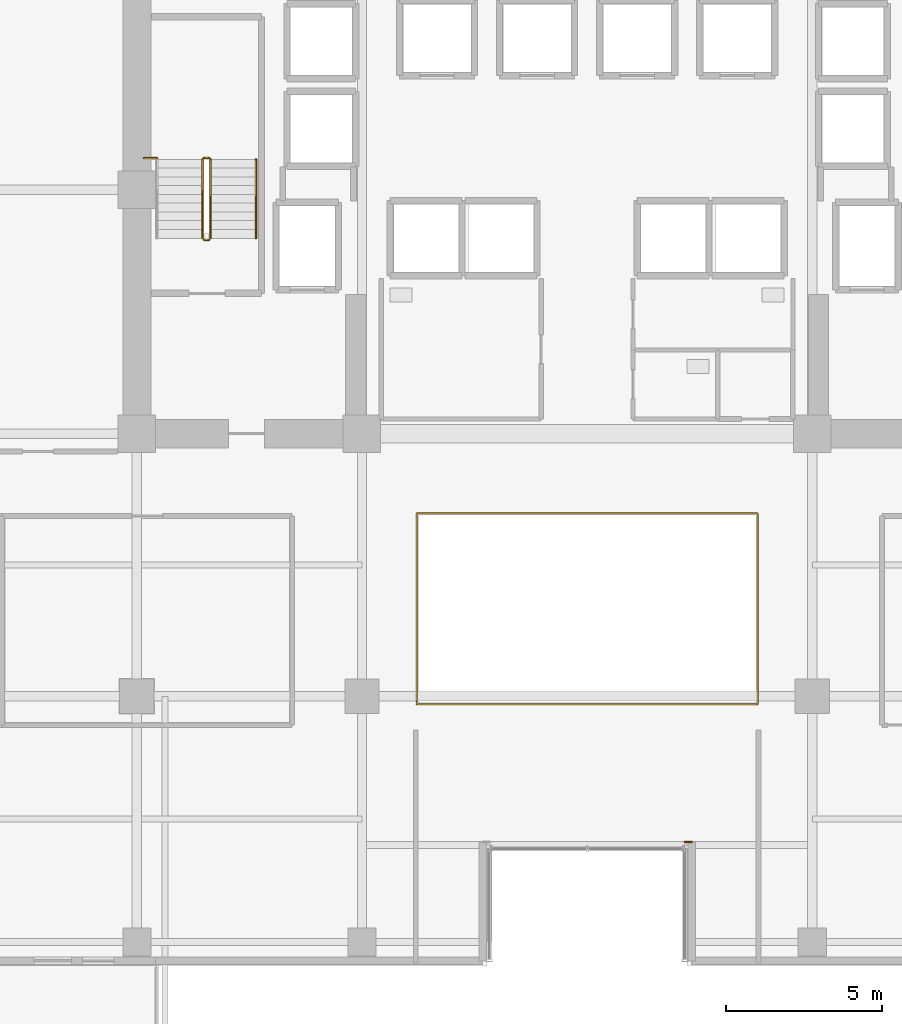
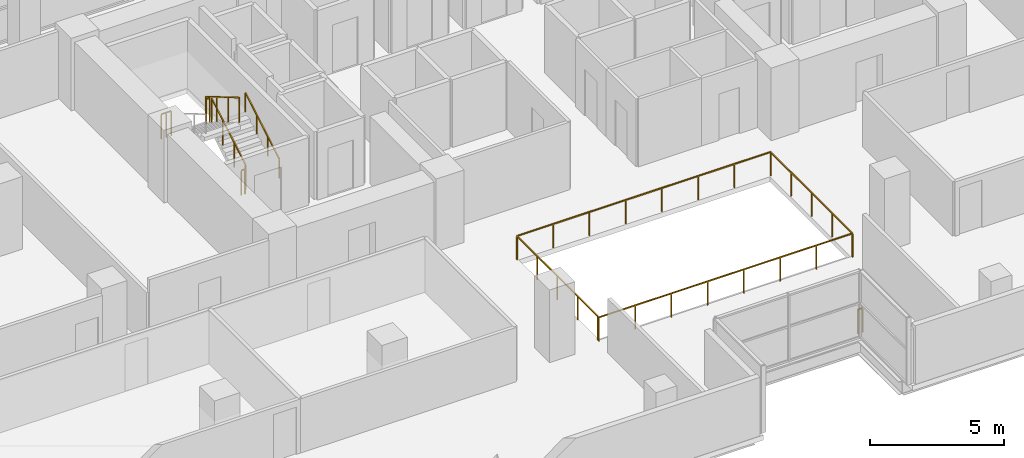
# One storey, part 27 of 29: 8 railings.
"""IFC4 building model written with IfcOpenShell, lengths in metres."""

from ifc_helpers import new_model, si_unit, direction, frame, origin, origin_2d, place, context, subcontext, project, spatial, rectangle, extrude, material, type_object, element, save


model = new_model("IFC4")

# Units and contexts
model_context = context("Model", 3, precision=1e-05, world=origin(), true_north=direction((0.0, 1.0)))
body_context = subcontext(model_context, "Body", "Model", "MODEL_VIEW")
ifc_project = project(units=[si_unit("LENGTHUNIT", "METRE"), si_unit("AREAUNIT", "SQUARE_METRE"), si_unit("VOLUMEUNIT", "CUBIC_METRE"), si_unit("PLANEANGLEUNIT", "RADIAN"), si_unit("MASSUNIT", "GRAM", prefix="KILO")], contexts=[model_context])

# Site, building, storey
site_placement = place(None, origin())
site = spatial("IfcSite", under=ifc_project, at=site_placement, CompositionType="ELEMENT")
building_placement = place(site_placement, origin())
building = spatial("IfcBuilding", under=site, at=building_placement, Name="Zarnakvel Exchange Tower", CompositionType="ELEMENT")
storey_placement = place(building_placement, frame((0.0, 0.0, 37.300048828125)))
storey = spatial("IfcBuildingStorey", under=building, at=storey_placement, Name="L09", CompositionType="ELEMENT", Elevation=37.300048828125)

# Railings
ifc_material_1 = material(Name="Architectural Bronze Anodised Aluminium", Category="aluminium")
railing_type_1 = type_object("IfcRailingType", Name="GR-02", PredefinedType="GUARDRAIL", material=ifc_material_1)
railing_1_placement = place(storey_placement, frame((3.340087890625, -14.260009765625, 0.0)))
element("IfcRailing", 1, at=railing_1_placement, inside=storey, type_object=railing_type_1, Name="L09 Corner Spandrel Balustrade #18", PredefinedType="GUARDRAIL", context=body_context, shape_type="SweptSolid", body=[
    extrude(rectangle(XDim=0.048095703125, YDim=0.048095703125, at=origin_2d()), frame((0.0, 0.0, 1.09619140625), z_axis=(-1.0, 0.0, 0.0), x_axis=(0.0, -1.0, 0.0)), (0.0, 0.0, 1.0), 0.219970703125),
    extrude(rectangle(XDim=0.0419921875, YDim=0.0419921875, at=origin_2d()), origin(), (0.0, 0.0, 1.0), 1.072021484375),
    extrude(rectangle(XDim=0.0419921875, YDim=0.0419921875, at=origin_2d()), frame((-0.219970703125, 0.0, 0.0)), (0.0, 0.0, 1.0), 1.072021484375),
])
railing_type_2 = type_object("IfcRailingType", Name="GR-03", PredefinedType="GUARDRAIL", material=ifc_material_1)
railing_2_placement = place(storey_placement, frame((-5.449951171875, -9.85009765625, 0.0)))
element("IfcRailing", 2, at=railing_2_placement, inside=storey, type_object=railing_type_2, Name="L09 Atrium Void Perimeter Balustrade", PredefinedType="GUARDRAIL", context=body_context, shape_type="SweptSolid", body=[
    extrude(rectangle(XDim=0.048095703125, YDim=0.048095703125, at=origin_2d()), frame((0.0, 0.0, 1.076171875), z_axis=(1.0, 0.0, 0.0), x_axis=(0.0, 1.0, 0.0)), (0.0, 0.0, 1.0), 10.89990234375),
    extrude(rectangle(XDim=0.048095703125, YDim=0.048095703125, at=origin_2d()), frame((10.89990234375, 0.0, 1.076171875), z_axis=(0.0, 1.0, 0.0), x_axis=(-1.0, 0.0, 0.0)), (0.0, 0.0, 1.0), 6.10009765625),
    extrude(rectangle(XDim=0.048095703125, YDim=0.048095703125, at=origin_2d()), frame((10.89990234375, 6.10009765625, 1.076171875), z_axis=(-1.0, 0.0, 0.0), x_axis=(0.0, -1.0, 0.0)), (0.0, 0.0, 1.0), 10.89990234375),
    extrude(rectangle(XDim=0.048095703125, YDim=0.048095703125, at=origin_2d()), frame((0.0, 6.10009765625, 1.076171875), z_axis=(0.0, -1.0, 0.0), x_axis=(1.0, 0.0, 0.0)), (0.0, 0.0, 1.0), 6.02001953125),
    extrude(rectangle(XDim=0.0419921875, YDim=0.0419921875, at=origin_2d()), origin(), (0.0, 0.0, 1.0), 1.052001953125),
    extrude(rectangle(XDim=0.0419921875, YDim=0.0419921875, at=origin_2d()), frame((1.55712890625, 0.0, 0.0)), (0.0, 0.0, 1.0), 1.052001953125),
    extrude(rectangle(XDim=0.0419921875, YDim=0.0419921875, at=origin_2d()), frame((3.1142578125, 0.0, 0.0)), (0.0, 0.0, 1.0), 1.052001953125),
    extrude(rectangle(XDim=0.0419921875, YDim=0.0419921875, at=origin_2d()), frame((4.67138671875, 0.0, 0.0)), (0.0, 0.0, 1.0), 1.052001953125),
    extrude(rectangle(XDim=0.0419921875, YDim=0.0419921875, at=origin_2d()), frame((6.228515625, 0.0, 0.0)), (0.0, 0.0, 1.0), 1.052001953125),
    extrude(rectangle(XDim=0.0419921875, YDim=0.0419921875, at=origin_2d()), frame((7.78564453125, 0.0, 0.0)), (0.0, 0.0, 1.0), 1.052001953125),
    extrude(rectangle(XDim=0.0419921875, YDim=0.0419921875, at=origin_2d()), frame((9.3427734375, 0.0, 0.0)), (0.0, 0.0, 1.0), 1.052001953125),
    extrude(rectangle(XDim=0.0419921875, YDim=0.0419921875, at=origin_2d()), frame((10.89990234375, 0.0, 0.0)), (0.0, 0.0, 1.0), 1.052001953125),
    extrude(rectangle(XDim=0.0419921875, YDim=0.0419921875, at=origin_2d()), frame((10.89990234375, 1.52490234375, 0.0)), (0.0, 0.0, 1.0), 1.052001953125),
    extrude(rectangle(XDim=0.0419921875, YDim=0.0419921875, at=origin_2d()), frame((10.89990234375, 3.050048828125, 0.0)), (0.0, 0.0, 1.0), 1.052001953125),
    extrude(rectangle(XDim=0.0419921875, YDim=0.0419921875, at=origin_2d()), frame((10.89990234375, 4.5751953125, 0.0)), (0.0, 0.0, 1.0), 1.052001953125),
    extrude(rectangle(XDim=0.0419921875, YDim=0.0419921875, at=origin_2d()), frame((10.89990234375, 6.10009765625, 0.0)), (0.0, 0.0, 1.0), 1.052001953125),
    extrude(rectangle(XDim=0.0419921875, YDim=0.0419921875, at=origin_2d()), frame((9.3427734375, 6.10009765625, 0.0)), (0.0, 0.0, 1.0), 1.052001953125),
    extrude(rectangle(XDim=0.0419921875, YDim=0.0419921875, at=origin_2d()), frame((7.78564453125, 6.10009765625, 0.0)), (0.0, 0.0, 1.0), 1.052001953125),
    extrude(rectangle(XDim=0.0419921875, YDim=0.0419921875, at=origin_2d()), frame((6.228515625, 6.10009765625, 0.0)), (0.0, 0.0, 1.0), 1.052001953125),
    extrude(rectangle(XDim=0.0419921875, YDim=0.0419921875, at=origin_2d()), frame((4.67138671875, 6.10009765625, 0.0)), (0.0, 0.0, 1.0), 1.052001953125),
    extrude(rectangle(XDim=0.0419921875, YDim=0.0419921875, at=origin_2d()), frame((3.1142578125, 6.10009765625, 0.0)), (0.0, 0.0, 1.0), 1.052001953125),
    extrude(rectangle(XDim=0.0419921875, YDim=0.0419921875, at=origin_2d()), frame((1.55712890625, 6.10009765625, 0.0)), (0.0, 0.0, 1.0), 1.052001953125),
    extrude(rectangle(XDim=0.0419921875, YDim=0.0419921875, at=origin_2d()), frame((0.0, 6.10009765625, 0.0)), (0.0, 0.0, 1.0), 1.052001953125),
    extrude(rectangle(XDim=0.0419921875, YDim=0.0419921875, at=origin_2d()), frame((0.0, 4.59521484375, 0.0)), (0.0, 0.0, 1.0), 1.052001953125),
    extrude(rectangle(XDim=0.0419921875, YDim=0.0419921875, at=origin_2d()), frame((0.0, 3.090087890625, 0.0)), (0.0, 0.0, 1.0), 1.052001953125),
    extrude(rectangle(XDim=0.0419921875, YDim=0.0419921875, at=origin_2d()), frame((0.0, 1.5849609375, 0.0)), (0.0, 0.0, 1.0), 1.052001953125),
    extrude(rectangle(XDim=0.0419921875, YDim=0.0419921875, at=origin_2d()), frame((0.0, 0.080078125, 0.0)), (0.0, 0.0, 1.0), 1.052001953125),
])
ifc_material_2 = material(Name="Brushed Stainless Steel", Category="steel")
railing_type_3 = type_object("IfcRailingType", Name="HR-01", PredefinedType="HANDRAIL", material=ifc_material_2)
railing_3_placement = place(storey_placement, frame((-10.590087890625, 5.050048828125, 0.1650390625)))
element("IfcRailing", 3, at=railing_3_placement, inside=storey, type_object=railing_type_3, Name="L09 ST-01 stair handrail 1", PredefinedType="HANDRAIL", context=body_context, shape_type="SweptSolid", body=[
    extrude(rectangle(XDim=0.048095703125, YDim=0.048095703125, at=origin_2d()), frame((0.0, 0.0, 0.8759765625), z_axis=(0.0, 0.861560626758, 0.507654692109), x_axis=(-1.0, 0.0, 0.0)), (0.0, 0.0, 1.0), 2.925048828125),
    extrude(rectangle(XDim=0.0419921875, YDim=0.0419921875, at=origin_2d()), origin(), (0.0, 0.0, 1.0), 0.851806640625),
    extrude(rectangle(XDim=0.0419921875, YDim=0.0419921875, at=origin_2d()), frame((0.0, 0.840087890625, 0.494873046875)), (0.0, 0.0, 1.0), 0.851806640625),
    extrude(rectangle(XDim=0.0419921875, YDim=0.0419921875, at=origin_2d()), frame((0.0, 1.679931640625, 0.989990234375)), (0.0, 0.0, 1.0), 0.851806640625),
    extrude(rectangle(XDim=0.0419921875, YDim=0.0419921875, at=origin_2d()), frame((0.0, 2.52001953125, 1.48486328125)), (0.0, 0.0, 1.0), 0.851806640625),
])
railing_type_4 = type_object("IfcRailingType", Name="SG-01", PredefinedType="GUARDRAIL", material=ifc_material_1)
railing_4_placement = place(storey_placement, frame((-12.0400390625, 5.050048828125, 0.1650390625)))
element("IfcRailing", 4, at=railing_4_placement, inside=storey, type_object=railing_type_4, Name="L09 ST-01 stair guard 1", PredefinedType="GUARDRAIL", context=body_context, shape_type="SweptSolid", body=[
    extrude(rectangle(XDim=0.048095703125, YDim=0.048095703125, at=origin_2d()), frame((0.0, 0.0, 1.1259765625), z_axis=(0.0, 0.861560626758, 0.507654692109), x_axis=(-1.0, 0.0, 0.0)), (0.0, 0.0, 1.0), 2.925048828125),
    extrude(rectangle(XDim=0.0419921875, YDim=0.0419921875, at=origin_2d()), origin(), (0.0, 0.0, 1.0), 1.101806640625),
    extrude(rectangle(XDim=0.0419921875, YDim=0.0419921875, at=origin_2d()), frame((0.0, 0.840087890625, 0.494873046875)), (0.0, 0.0, 1.0), 1.101806640625),
    extrude(rectangle(XDim=0.0419921875, YDim=0.0419921875, at=origin_2d()), frame((0.0, 1.679931640625, 0.989990234375)), (0.0, 0.0, 1.0), 1.101806640625),
    extrude(rectangle(XDim=0.0419921875, YDim=0.0419921875, at=origin_2d()), frame((0.0, 2.52001953125, 1.48486328125)), (0.0, 0.0, 1.0), 1.101806640625),
])
railing_5_placement = place(storey_placement, frame((-12.090087890625, 7.6201171875, 1.64990234375)))
element("IfcRailing", 5, at=railing_5_placement, inside=storey, type_object=railing_type_4, Name="L09 ST-01 stair guard 2", PredefinedType="GUARDRAIL", context=body_context, shape_type="SweptSolid", body=[
    extrude(rectangle(XDim=0.048095703125, YDim=0.048095703125, at=origin_2d()), frame((0.0, 0.0, 1.1259765625), z_axis=(-1.0, 0.0, 0.0), x_axis=(0.0, -1.0, 0.0)), (0.0, 0.0, 1.0), 0.159912109375),
    extrude(rectangle(XDim=0.0419921875, YDim=0.0419921875, at=origin_2d()), origin(), (0.0, 0.0, 1.0), 1.101806640625),
    extrude(rectangle(XDim=0.0419921875, YDim=0.0419921875, at=origin_2d()), frame((-0.159912109375, 0.0, 0.0)), (0.0, 0.0, 1.0), 1.101806640625),
])
railing_6_placement = place(storey_placement, frame((-12.300048828125, 7.570068359375, 1.81494140625)))
element("IfcRailing", 6, at=railing_6_placement, inside=storey, type_object=railing_type_4, Name="L09 ST-01 stair guard 3", PredefinedType="GUARDRAIL", context=body_context, shape_type="SweptSolid", body=[
    extrude(rectangle(XDim=0.048095703125, YDim=0.048095703125, at=origin_2d()), frame((0.0, 0.0, 1.1259765625), z_axis=(0.0, -0.86152411907, 0.507716645641), x_axis=(1.0, 0.0, 0.0)), (0.0, 0.0, 1.0), 2.925048828125),
    extrude(rectangle(XDim=0.0419921875, YDim=0.0419921875, at=origin_2d()), origin(), (0.0, 0.0, 1.0), 1.101806640625),
    extrude(rectangle(XDim=0.0419921875, YDim=0.0419921875, at=origin_2d()), frame((0.0, -0.840087890625, 0.4951171875)), (0.0, 0.0, 1.0), 1.101806640625),
    extrude(rectangle(XDim=0.0419921875, YDim=0.0419921875, at=origin_2d()), frame((0.0, -1.679931640625, 0.989990234375)), (0.0, 0.0, 1.0), 1.101806640625),
    extrude(rectangle(XDim=0.0419921875, YDim=0.0419921875, at=origin_2d()), frame((0.0, -2.52001953125, 1.485107421875)), (0.0, 0.0, 1.0), 1.101806640625),
])
railing_7_placement = place(storey_placement, frame((-12.090087890625, 5.0, 0.0)))
element("IfcRailing", 7, at=railing_7_placement, inside=storey, type_object=railing_type_4, Name="L09 ST-01 stair guard 4", PredefinedType="GUARDRAIL", context=body_context, shape_type="SweptSolid", body=[
    extrude(rectangle(XDim=0.048095703125, YDim=0.048095703125, at=origin_2d()), frame((0.0, 0.0, 1.1259765625), z_axis=(-1.0, 0.0, 0.0), x_axis=(0.0, -1.0, 0.0)), (0.0, 0.0, 1.0), 0.159912109375),
    extrude(rectangle(XDim=0.0419921875, YDim=0.0419921875, at=origin_2d()), origin(), (0.0, 0.0, 1.0), 1.101806640625),
    extrude(rectangle(XDim=0.0419921875, YDim=0.0419921875, at=origin_2d()), frame((-0.159912109375, 0.0, 0.0)), (0.0, 0.0, 1.0), 1.101806640625),
])
railing_8_placement = place(storey_placement, frame((-14.179931640625, 7.610107421875, 1.64990234375)))
element("IfcRailing", 8, at=railing_8_placement, inside=storey, type_object=railing_type_4, Name="L09 ST-01 Landing Slot Guardrail", PredefinedType="GUARDRAIL", context=body_context, shape_type="SweptSolid", body=[
    extrude(rectangle(XDim=0.048095703125, YDim=0.048095703125, at=origin_2d()), frame((0.0, 0.0, 1.1259765625), z_axis=(1.0, 0.0, 0.0), x_axis=(0.0, 1.0, 0.0)), (0.0, 0.0, 1.0), 0.429931640625),
    extrude(rectangle(XDim=0.0419921875, YDim=0.0419921875, at=origin_2d()), origin(), (0.0, 0.0, 1.0), 1.101806640625),
    extrude(rectangle(XDim=0.0419921875, YDim=0.0419921875, at=origin_2d()), frame((0.21484375, 0.0, 0.0)), (0.0, 0.0, 1.0), 1.101806640625),
    extrude(rectangle(XDim=0.0419921875, YDim=0.0419921875, at=origin_2d()), frame((0.429931640625, 0.0, 0.0)), (0.0, 0.0, 1.0), 1.101806640625),
])

save(model, "model.ifc")
